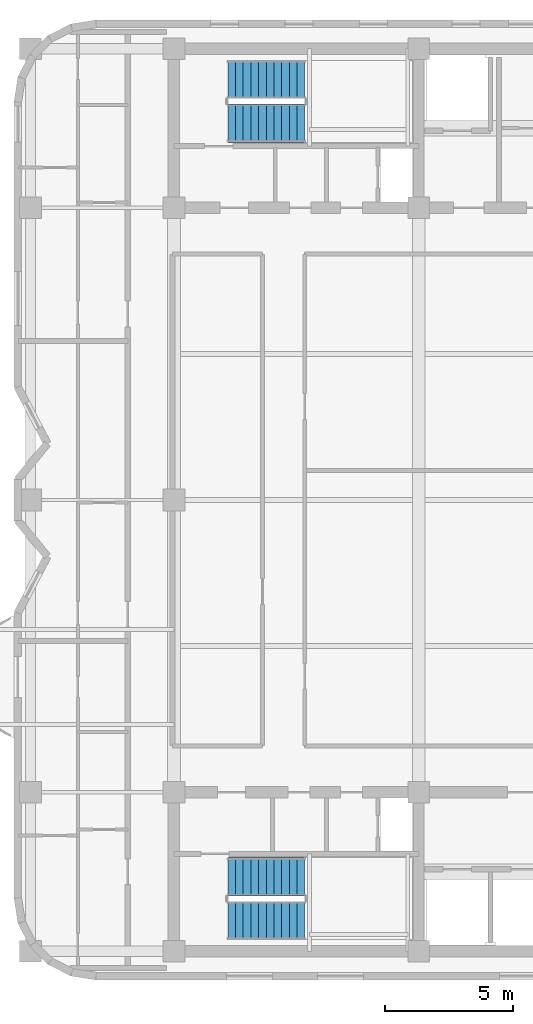
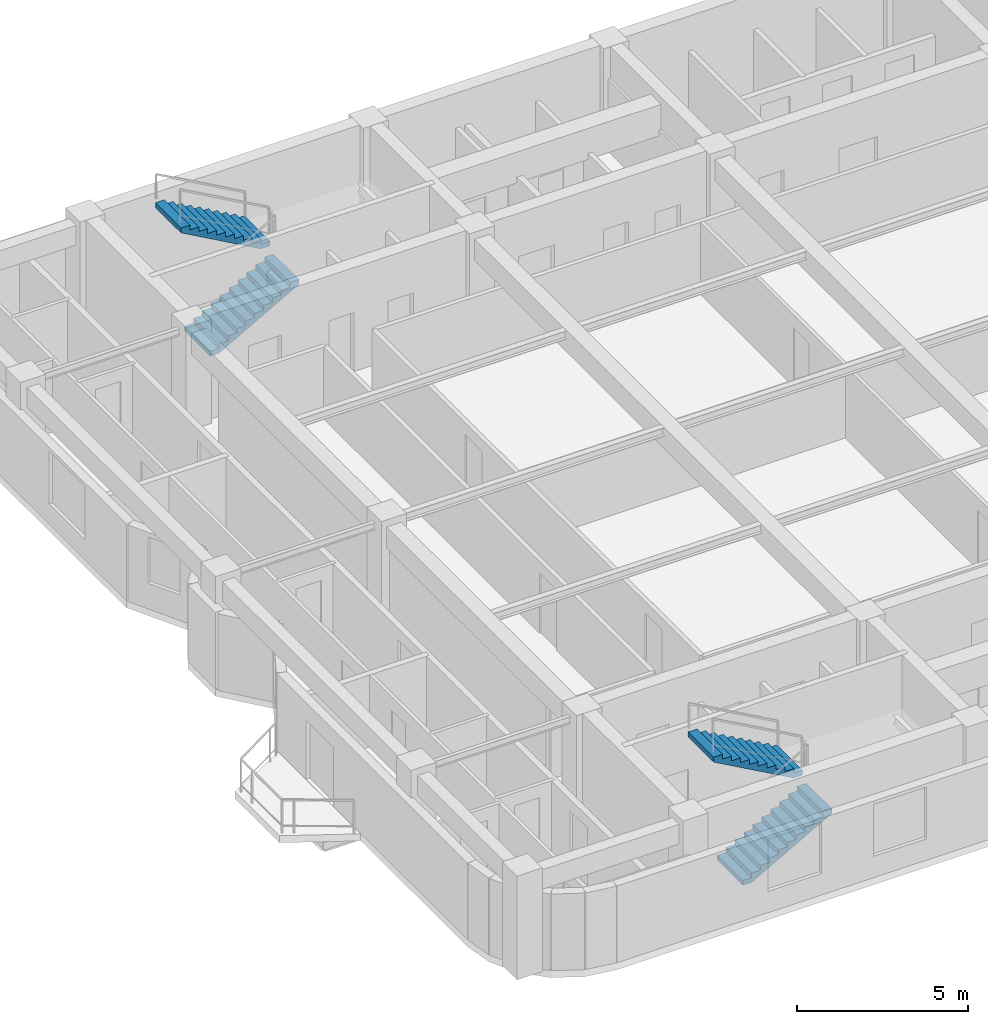
# One storey, part 7 of 9: 4 stair flights, 2 elements without a shape of their own.
"""IFC4 building model written with IfcOpenShell, lengths in metres."""

import ifcopenshell
import ifcopenshell.guid

model = None  # the IFC model being written
_history = None  # IfcOwnerHistory: only IFC2X3 demands one
_inside = {}  # id of a spatial element -> (the spatial element, [elements in it])
_under = {}  # id of a project, library or spatial element -> (it, [spatial elements below it])
_declared = {}  # id of a project -> (the project, [libraries it declares])
_typed = {}  # id of a type object -> (the type object, [elements of that type])
_made_of = {}  # id of a material, layer set ... -> (it, [elements and type objects made of it])


def new_model(schema):
    """Start an empty IFC model of exactly this schema.

    Asked for "IFC4X3", IfcOpenShell would pick the latest addendum, in which some entities
    have other attributes; the version numbers below select the first issue.
    IFC2X3 requires an IfcOwnerHistory on every rooted entity: one is made here for all.
    """
    global model, _history
    if schema == "IFC4X3":
        model = ifcopenshell.file(schema_version=(4, 3, 0, 0))
    else:
        model = ifcopenshell.file(schema=schema)
    _inside.clear()
    _under.clear()
    _declared.clear()
    _typed.clear()
    _made_of.clear()
    _history = None
    if model.schema == "IFC2X3":
        org = make("IfcOrganization", Name="unknown")
        user = make(
            "IfcPersonAndOrganization",
            ThePerson=make("IfcPerson", FamilyName="unknown"),
            TheOrganization=org,
        )
        app = make(
            "IfcApplication",
            ApplicationDeveloper=org,
            Version="unknown",
            ApplicationFullName="unknown",
            ApplicationIdentifier="unknown",
        )
        _history = make(
            "IfcOwnerHistory",
            OwningUser=user,
            OwningApplication=app,
            ChangeAction="ADDED",
            CreationDate=0,
        )
    return model


def make(cls, **values):
    """One entity of the class cls with the attributes given. An attribute that is None is left unset."""
    return model.create_entity(
        cls, **{name: value for name, value in values.items() if value is not None}
    )


def rooted(cls, **values):
    """An entity with a GlobalId (a new one), such as an element, a storey or a relation."""
    return make(cls, GlobalId=ifcopenshell.guid.new(), OwnerHistory=_history, **values)


def si_unit(unit_type, name, prefix=None):
    """IfcSIUnit, for example si_unit("LENGTHUNIT", "METRE", prefix="MILLI")."""
    return make("IfcSIUnit", UnitType=unit_type, Prefix=prefix, Name=name)


def assignment(units):
    """IfcUnitAssignment: the units of a project."""
    return None if units is None else make("IfcUnitAssignment", Units=units)


def point(xyz):
    """IfcCartesianPoint."""
    return None if xyz is None else make("IfcCartesianPoint", Coordinates=xyz)


def direction(xyz):
    """IfcDirection."""
    return None if xyz is None else make("IfcDirection", DirectionRatios=xyz)


def frame(location, z_axis=None, x_axis=None):
    """IfcAxis2Placement3D, a coordinate frame: its origin and axes. An axis left out is left unset."""
    return make(
        "IfcAxis2Placement3D",
        Location=point(location),
        Axis=direction(z_axis),
        RefDirection=direction(x_axis),
    )


def origin():
    """The frame at (0, 0, 0) with its axes left unset."""
    return frame((0.0, 0.0, 0.0))


def place(relative_to, where):
    """IfcLocalPlacement: puts the frame where relative to a parent placement (None: the world)."""
    return make(
        "IfcLocalPlacement", PlacementRelTo=relative_to, RelativePlacement=where
    )


def context(
    kind, dimensions, precision=None, world=None, true_north=None, identifier=None
):
    """IfcGeometricRepresentationContext, for example the 3D "Model" context."""
    return make(
        "IfcGeometricRepresentationContext",
        ContextIdentifier=identifier,
        ContextType=kind,
        CoordinateSpaceDimension=dimensions,
        Precision=precision,
        WorldCoordinateSystem=world,
        TrueNorth=true_north,
    )


def subcontext(parent, identifier, kind, view, scale=None):
    """IfcGeometricRepresentationSubContext, for example "Body" below "Model"."""
    return make(
        "IfcGeometricRepresentationSubContext",
        ContextIdentifier=identifier,
        ContextType=kind,
        ParentContext=parent,
        TargetScale=scale,
        TargetView=view,
    )


def project(units=None, contexts=None):
    """IfcProject with its units and contexts."""
    return rooted(
        "IfcProject",
        Name="project",
        RepresentationContexts=contexts,
        UnitsInContext=assignment(units),
    )


def spatial(cls, under=None, at=None, **own):
    """A site, building, storey or space (cls), placed at a placement, below another one or the project."""
    s = rooted(cls, ObjectPlacement=at, **own)
    if under is not None:
        _under.setdefault(under.id(), (under, []))[1].append(s)
    return s


def polyline(points):
    """IfcPolyline through the points."""
    return make("IfcPolyline", Points=[point(p) for p in points])


def outline(outer, holes=None, kind="AREA"):
    """IfcArbitraryClosedProfileDef: a profile drawn as a closed curve; with holes, ...WithVoids."""
    if holes is None:
        return make("IfcArbitraryClosedProfileDef", ProfileType=kind, OuterCurve=outer)
    return make(
        "IfcArbitraryProfileDefWithVoids",
        ProfileType=kind,
        OuterCurve=outer,
        InnerCurves=holes,
    )


def extrude(swept, where, along, depth):
    """IfcExtrudedAreaSolid: the profile swept, set in the frame where, extruded along a direction by depth."""
    return make(
        "IfcExtrudedAreaSolid",
        SweptArea=swept,
        Position=where,
        ExtrudedDirection=direction(along),
        Depth=depth,
    )


def shape(context_of_items, identifier, shape_type, items):
    """IfcShapeRepresentation: the items that make up one representation, for example the "Body"."""
    return make(
        "IfcShapeRepresentation",
        ContextOfItems=context_of_items,
        RepresentationIdentifier=identifier,
        RepresentationType=shape_type,
        Items=items,
    )


def material(Name=None, Category=None):
    """IfcMaterial."""
    return make("IfcMaterial", Name=Name, Category=Category)


def made_of(thing, what):
    """Note that an element or type object is made of a material, layer set ...; save() writes the relation."""
    if what is not None:
        _made_of.setdefault(what.id(), (what, []))[1].append(thing)
    return thing


def type_object(cls, material=None, **own):
    """A type object (cls), such as IfcWallType, which elements share."""
    return made_of(rooted(cls, **own), material)


def element(
    cls,
    number,
    at=None,
    inside=None,
    cuts=None,
    type_object=None,
    material=None,
    context=None,
    identifier="Body",
    shape_type=None,
    held_by="IfcProductDefinitionShape",
    body=None,
    shapes=None,
    **own,
):
    """One element of the class cls, such as IfcWall. Its Tag is "e" and its number.

    at: its placement. inside: the storey or other place that contains it. cuts: it is an
    opening in that element (IfcRelVoidsElement). A single representation is given by context,
    identifier, shape_type and body (its items); several are given by shapes. held_by: the class
    of the entity that holds the representations. save() writes the other relations.
    """
    e = rooted(cls, Tag="e%d" % number, ObjectPlacement=at, **own)
    if body is not None:
        shapes = [shape(context, identifier, shape_type, body)]
    if shapes is not None:
        e.Representation = make(held_by, Representations=shapes)
    if inside is not None:
        _inside.setdefault(inside.id(), (inside, []))[1].append(e)
    if cuts is not None:
        rooted(
            "IfcRelVoidsElement", RelatingBuildingElement=cuts, RelatedOpeningElement=e
        )
    if type_object is not None:
        _typed.setdefault(type_object.id(), (type_object, []))[1].append(e)
    return made_of(e, material)


def aggregate(whole, parts):
    """IfcRelAggregates: a whole, such as a stair, and the parts it consists of."""
    return rooted("IfcRelAggregates", RelatingObject=whole, RelatedObjects=parts)


def save(model, path):
    """Write the relations noted so far, then the file.

    IfcRelAggregates (storeys below a building ...), IfcRelContainedInSpatialStructure (elements
    in a storey), IfcRelDefinesByType, IfcRelAssociatesMaterial and IfcRelDeclares: one each for
    every whole, place, type object, material and project.
    """
    for whole, parts in _under.values():
        aggregate(whole, parts)
    for where, things in _inside.values():
        rooted(
            "IfcRelContainedInSpatialStructure",
            RelatedElements=things,
            RelatingStructure=where,
        )
    for kind, things in _typed.values():
        rooted("IfcRelDefinesByType", RelatedObjects=things, RelatingType=kind)
    for what, things in _made_of.values():
        rooted("IfcRelAssociatesMaterial", RelatedObjects=things, RelatingMaterial=what)
    for by, libraries in _declared.values():
        rooted("IfcRelDeclares", RelatingContext=by, RelatedDefinitions=libraries)
    model.write(path)


model = new_model("IFC4")

# Units and contexts
model_context = context("Model", 3, precision=1e-05, world=origin(), true_north=direction((0.0, 1.0)))
body_context = subcontext(model_context, "Body", "Model", "MODEL_VIEW")
ifc_project = project(units=[si_unit("LENGTHUNIT", "METRE"), si_unit("AREAUNIT", "SQUARE_METRE"), si_unit("VOLUMEUNIT", "CUBIC_METRE"), si_unit("PLANEANGLEUNIT", "RADIAN"), si_unit("MASSUNIT", "GRAM", prefix="KILO")], contexts=[model_context])

# Site, building, storey
site_placement = place(None, origin())
site = spatial("IfcSite", under=ifc_project, at=site_placement, CompositionType="ELEMENT")
building_placement = place(site_placement, origin())
building = spatial("IfcBuilding", under=site, at=building_placement, Name="Svetorya Sky Lyceum", CompositionType="ELEMENT")
storey_placement = place(building_placement, frame((0.0, 0.0, 240.60009765625)))
storey = spatial("IfcBuildingStorey", under=building, at=storey_placement, Name="L60", CompositionType="ELEMENT", Elevation=240.60009765625)

# Stair, stair flights
ifc_material = material(Name="Concrete C40/50", Category="concrete")
stair_type_1 = type_object("IfcStairType", Name="STR-ST-N", PredefinedType="HALF_TURN_STAIR", material=ifc_material)
stair_1_placement = place(storey_placement, origin())
stair_1 = element("IfcStair", 1, at=stair_1_placement, inside=storey, type_object=stair_type_1, Name="L60 North Core Smoke-Free Exit Stair N3", PredefinedType="HALF_TURN_STAIR")
stair_flight_type_1 = type_object("IfcStairFlightType", Name="SFL-ST-N", PredefinedType="STRAIGHT", material=ifc_material)
stair_flight_1_placement = place(storey_placement, frame((27.699951171875, 42.89990234375, 0.0), z_axis=(0.0, 0.0, 1.0), x_axis=(1.0, 0.0, 0.0)))
stair_flight_1 = element("IfcStairFlight", 2, at=stair_flight_1_placement, type_object=stair_flight_type_1, Name="ST-N flight 1", NumberOfRisers=11, NumberOfTreads=10, PredefinedType="STRAIGHT", RiserHeight=0.168181818, TreadLength=0.3, context=body_context, shape_type="SweptSolid", body=[
    extrude(outline(polyline([(0.0, 0.0), (0.0, 0.168212890625), (0.300048828125, 0.168212890625), (0.300048828125, 0.33642578125), (0.60009765625, 0.33642578125), (0.60009765625, 0.504638671875), (0.89990234375, 0.504638671875), (0.89990234375, 0.672607421875), (1.199951171875, 0.672607421875), (1.199951171875, 0.8408203125), (1.5, 0.8408203125), (1.5, 1.009033203125), (1.800048828125, 1.009033203125), (1.800048828125, 1.17724609375), (2.10009765625, 1.17724609375), (2.10009765625, 1.345458984375), (2.39990234375, 1.345458984375), (2.39990234375, 1.513671875), (2.699951171875, 1.513671875), (2.699951171875, 1.681884765625), (3.0, 1.681884765625), (3.0, 1.85009765625), (3.0, 1.510009765625), (0.306640625, 0.0), (0.0, 0.0)])), frame((0.0, 0.75, 0.0), z_axis=(0.0, -1.0, 0.0), x_axis=(1.0, 0.0, 0.0)), (0.0, 0.0, 1.0), 1.5),
])
stair_flight_2_placement = place(storey_placement, frame((30.699951171875, 44.60009765625, 1.849853515625), z_axis=(0.0, 0.0, 1.0), x_axis=(-1.0, 0.0, 0.0)))
stair_flight_2 = element("IfcStairFlight", 3, at=stair_flight_2_placement, type_object=stair_flight_type_1, Name="ST-N flight 2", NumberOfRisers=11, NumberOfTreads=10, PredefinedType="STRAIGHT", RiserHeight=0.168181818, TreadLength=0.3, context=body_context, shape_type="SweptSolid", body=[
    extrude(outline(polyline([(0.0, 0.0), (0.0, 0.168212890625), (0.300048828125, 0.168212890625), (0.300048828125, 0.33642578125), (0.60009765625, 0.33642578125), (0.60009765625, 0.504638671875), (0.89990234375, 0.504638671875), (0.89990234375, 0.672607421875), (1.199951171875, 0.672607421875), (1.199951171875, 0.8408203125), (1.5, 0.8408203125), (1.5, 1.009033203125), (1.800048828125, 1.009033203125), (1.800048828125, 1.17724609375), (2.10009765625, 1.17724609375), (2.10009765625, 1.345458984375), (2.39990234375, 1.345458984375), (2.39990234375, 1.513671875), (2.699951171875, 1.513671875), (2.699951171875, 1.681884765625), (3.0, 1.681884765625), (3.0, 1.85009765625), (3.0, 1.510009765625), (0.306640625, 0.0), (0.0, 0.0)])), frame((0.0, 0.75, 0.0), z_axis=(0.0, -1.0, 0.0), x_axis=(1.0, 0.0, 0.0)), (0.0, 0.0, 1.0), 1.5),
])
aggregate(stair_1, [stair_flight_1, stair_flight_2])

stair_type_2 = type_object("IfcStairType", Name="STR-ST-S", PredefinedType="HALF_TURN_STAIR", material=ifc_material)
stair_2_placement = place(storey_placement, origin())
stair_2 = element("IfcStair", 4, at=stair_2_placement, inside=storey, type_object=stair_type_2, Name="L60 South Core Smoke-Free Exit Stair N2", PredefinedType="HALF_TURN_STAIR")
stair_flight_type_2 = type_object("IfcStairFlightType", Name="SFL-ST-S", PredefinedType="STRAIGHT", material=ifc_material)
stair_flight_3_placement = place(storey_placement, frame((27.699951171875, 11.800048828125, 0.0), z_axis=(0.0, 0.0, 1.0), x_axis=(1.0, 0.0, 0.0)))
stair_flight_3 = element("IfcStairFlight", 5, at=stair_flight_3_placement, type_object=stair_flight_type_2, Name="ST-S flight 1", NumberOfRisers=11, NumberOfTreads=10, PredefinedType="STRAIGHT", RiserHeight=0.168181818, TreadLength=0.3, context=body_context, shape_type="SweptSolid", body=[
    extrude(outline(polyline([(0.0, 0.0), (0.0, 0.168212890625), (0.300048828125, 0.168212890625), (0.300048828125, 0.33642578125), (0.60009765625, 0.33642578125), (0.60009765625, 0.504638671875), (0.89990234375, 0.504638671875), (0.89990234375, 0.672607421875), (1.199951171875, 0.672607421875), (1.199951171875, 0.8408203125), (1.5, 0.8408203125), (1.5, 1.009033203125), (1.800048828125, 1.009033203125), (1.800048828125, 1.17724609375), (2.10009765625, 1.17724609375), (2.10009765625, 1.345458984375), (2.39990234375, 1.345458984375), (2.39990234375, 1.513671875), (2.699951171875, 1.513671875), (2.699951171875, 1.681884765625), (3.0, 1.681884765625), (3.0, 1.85009765625), (3.0, 1.510009765625), (0.306640625, 0.0), (0.0, 0.0)])), frame((0.0, 0.75, 0.0), z_axis=(0.0, -1.0, 0.0), x_axis=(1.0, 0.0, 0.0)), (0.0, 0.0, 1.0), 1.5),
])
stair_flight_4_placement = place(storey_placement, frame((30.699951171875, 13.5, 1.849853515625), z_axis=(0.0, 0.0, 1.0), x_axis=(-1.0, 0.0, 0.0)))
stair_flight_4 = element("IfcStairFlight", 6, at=stair_flight_4_placement, type_object=stair_flight_type_2, Name="ST-S flight 2", NumberOfRisers=11, NumberOfTreads=10, PredefinedType="STRAIGHT", RiserHeight=0.168181818, TreadLength=0.3, context=body_context, shape_type="SweptSolid", body=[
    extrude(outline(polyline([(0.0, 0.0), (0.0, 0.168212890625), (0.300048828125, 0.168212890625), (0.300048828125, 0.33642578125), (0.60009765625, 0.33642578125), (0.60009765625, 0.504638671875), (0.89990234375, 0.504638671875), (0.89990234375, 0.672607421875), (1.199951171875, 0.672607421875), (1.199951171875, 0.8408203125), (1.5, 0.8408203125), (1.5, 1.009033203125), (1.800048828125, 1.009033203125), (1.800048828125, 1.17724609375), (2.10009765625, 1.17724609375), (2.10009765625, 1.345458984375), (2.39990234375, 1.345458984375), (2.39990234375, 1.513671875), (2.699951171875, 1.513671875), (2.699951171875, 1.681884765625), (3.0, 1.681884765625), (3.0, 1.85009765625), (3.0, 1.510009765625), (0.306640625, 0.0), (0.0, 0.0)])), frame((0.0, 0.75, 0.0), z_axis=(0.0, -1.0, 0.0), x_axis=(1.0, 0.0, 0.0)), (0.0, 0.0, 1.0), 1.5),
])
aggregate(stair_2, [stair_flight_3, stair_flight_4])

save(model, "model.ifc")
